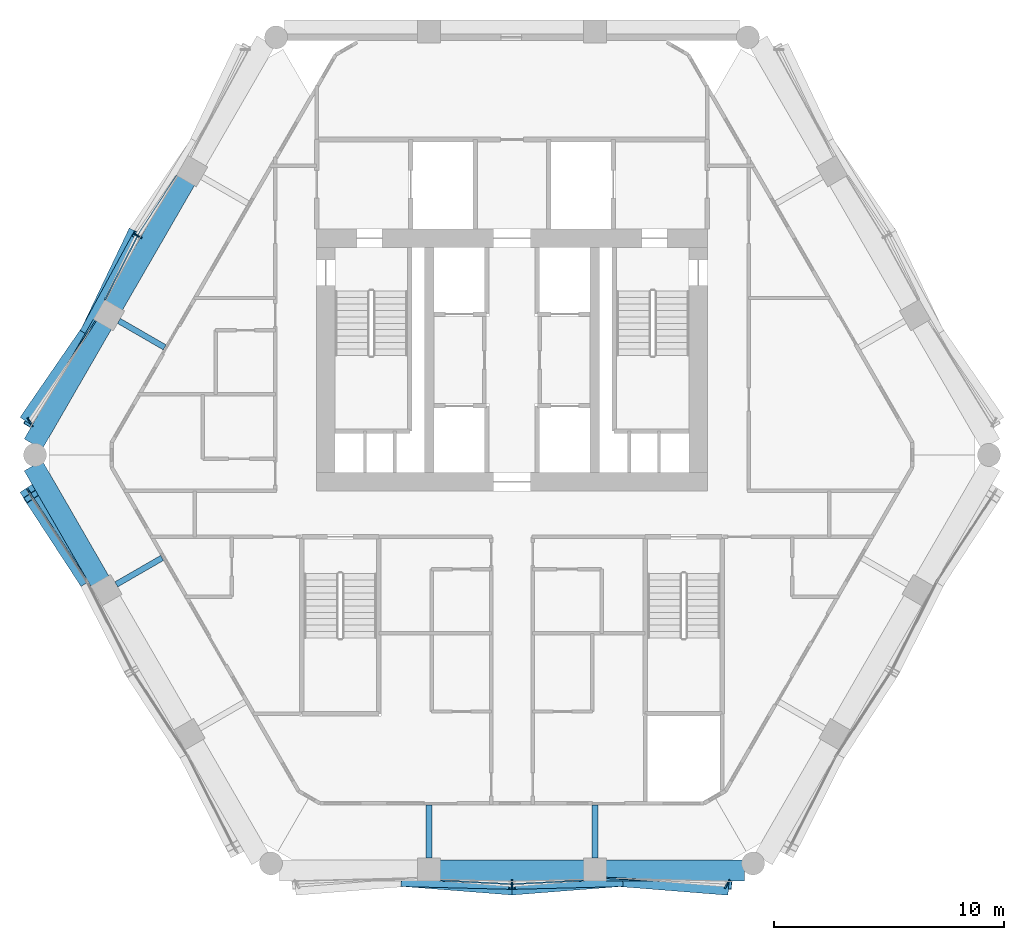
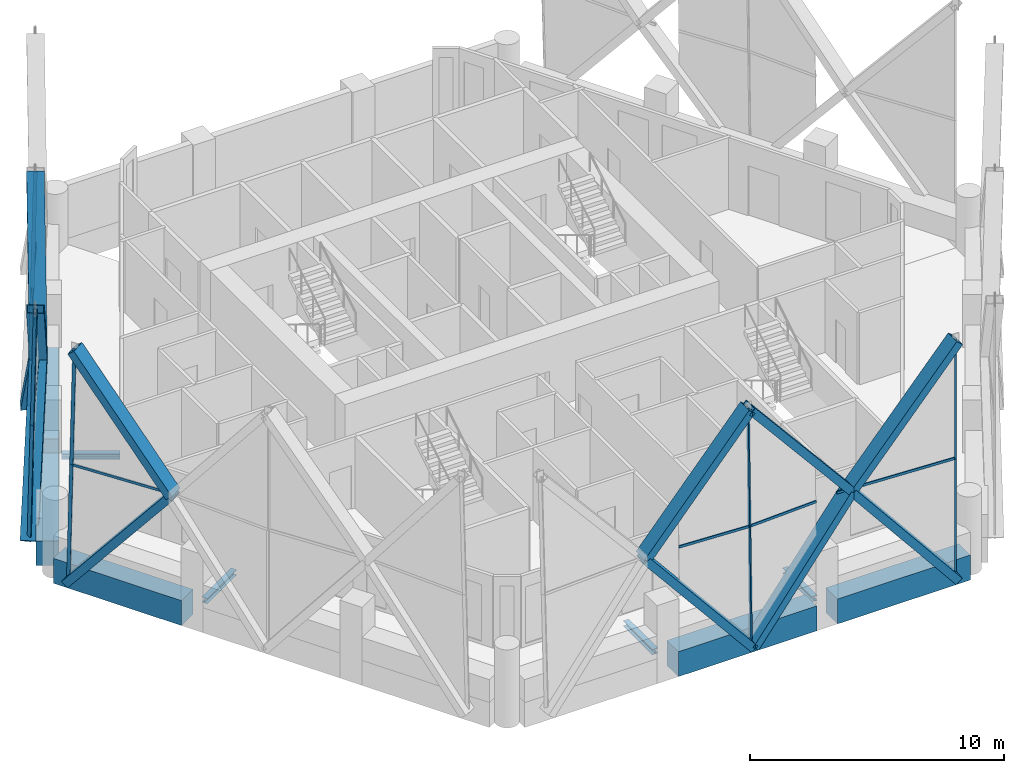
# One storey, part 4 of 19: 29 members, 9 beams, 6 elements without a shape of their own.
"""IFC4 building model written with IfcOpenShell, lengths in metres."""

from ifc_helpers import new_model, si_unit, direction, frame, origin, origin_2d, place, context, subcontext, project, spatial, rectangle, hollow_rectangle, i_section, extrude, material, material_profile, profile_set, type_object, element, aggregate, save


model = new_model("IFC4")

# Units and contexts
model_context = context("Model", 3, precision=1e-05, world=origin(), true_north=direction((0.0, 1.0)))
body_context = subcontext(model_context, "Body", "Model", "MODEL_VIEW")
ifc_project = project(units=[si_unit("LENGTHUNIT", "METRE"), si_unit("AREAUNIT", "SQUARE_METRE"), si_unit("VOLUMEUNIT", "CUBIC_METRE"), si_unit("PLANEANGLEUNIT", "RADIAN"), si_unit("MASSUNIT", "GRAM", prefix="KILO")], contexts=[model_context])

# Site, building, storey
site_placement = place(None, origin())
site = spatial("IfcSite", under=ifc_project, at=site_placement, CompositionType="ELEMENT")
building_placement = place(site_placement, origin())
building = spatial("IfcBuilding", under=site, at=building_placement, Name="Ostrander Bayou Hotel Tower", CompositionType="ELEMENT")
storey_placement = place(building_placement, frame((0.0, 0.0, 164.5)))
storey = spatial("IfcBuildingStorey", under=building, at=storey_placement, Name="L40", CompositionType="ELEMENT", Elevation=164.5)

# Curtain wall, members
ifc_material_1 = material(Name="Aluminium and clear glass", Category="aluminium")
curtain_wall_type = type_object("IfcCurtainWallType", Name="CW-LAT lattice glazing", PredefinedType="NOTDEFINED", material=ifc_material_1)
curtain_wall_1_placement = place(storey_placement, origin())
curtain_wall_1 = element("IfcCurtainWall", 1, at=curtain_wall_1_placement, inside=storey, type_object=curtain_wall_type, Name="CW-LAT L40 NW 1", PredefinedType="NOTDEFINED")
ifc_material_2 = material(Name="Aluminium", Category="aluminium")
ifc_material_profile_1 = material_profile(ifc_material_2, hollow_rectangle(XDim=0.06005859375, YDim=0.159912109375, WallThickness=0.00390625, at=origin_2d()))
ifc_profile_set_1 = profile_set([ifc_material_profile_1], Name="Aluminium")
member_type_1 = type_object("IfcMemberType", Name="CW-LA mullion 60 x 160 mm", PredefinedType="MULLION", material=ifc_profile_set_1)
member_1_placement = place(storey_placement, frame((-16.401611328125, 9.469482421875, -0.60009765625), z_axis=(0.018875724526, -0.010891510014, 0.999762512817), x_axis=(0.499779910804, 0.866152435058, 0.0)))
member_1 = element("IfcMember", 2, at=member_1_placement, type_object=member_type_1, Name="CW-LAT mullion 4", PredefinedType="MULLION", context=body_context, shape_type="SweptSolid", body=[
    extrude(hollow_rectangle(XDim=0.06005859375, YDim=0.159912109375, WallThickness=0.00390625, at=origin_2d()), origin(), (0.0, 0.0, 1.0), 5.626220703125),
])
member_2_placement = place(storey_placement, frame((-16.29541015625, 9.408203125, 5.02490234375), z_axis=(0.018875715587, -0.010934897306, 0.999762039378), x_axis=(0.501271486133, 0.865290065348, 0.0)))
member_2 = element("IfcMember", 3, at=member_2_placement, type_object=member_type_1, Name="CW-LAT mullion 5", PredefinedType="MULLION", context=body_context, shape_type="SweptSolid", body=[
    extrude(hollow_rectangle(XDim=0.06005859375, YDim=0.159912109375, WallThickness=0.00390625, at=origin_2d()), origin(), (0.0, 0.0, 1.0), 5.626220703125),
])
member_3_placement = place(storey_placement, frame((-21.048828125, 1.420654296875, -0.60009765625), z_axis=(0.012626192954, -0.021824656549, 0.999682081273), x_axis=(0.865583332221, 0.500764909893, 0.0)))
member_3 = element("IfcMember", 4, at=member_3_placement, type_object=member_type_1, Name="CW-LAT mullion 8", PredefinedType="MULLION", context=body_context, shape_type="SweptSolid", body=[
    extrude(hollow_rectangle(XDim=0.06005859375, YDim=0.159912109375, WallThickness=0.00390625, at=origin_2d()), origin(), (0.0, 0.0, 1.0), 5.626708984375),
])
member_4_placement = place(storey_placement, frame((-20.977783203125, 1.2978515625, 5.02490234375), z_axis=(0.012582810856, -0.021824668484, 0.999682627996), x_axis=(0.866328918095, 0.499473928922, 0.0)))
member_4 = element("IfcMember", 5, at=member_4_placement, type_object=member_type_1, Name="CW-LAT mullion 9", PredefinedType="MULLION", context=body_context, shape_type="SweptSolid", body=[
    extrude(hollow_rectangle(XDim=0.06005859375, YDim=0.159912109375, WallThickness=0.00390625, at=origin_2d()), origin(), (0.0, 0.0, 1.0), 5.626708984375),
])
aggregate(curtain_wall_1, [member_1, member_2, member_3, member_4])

curtain_wall_2_placement = place(storey_placement, origin())
curtain_wall_2 = element("IfcCurtainWall", 6, at=curtain_wall_2_placement, inside=storey, type_object=curtain_wall_type, Name="CW-LAT L40 SW 1", PredefinedType="NOTDEFINED")
member_5_placement = place(storey_placement, frame((-21.048828125, -1.682373046875, -0.60009765625), z_axis=(0.012626192954, -0.021824656549, 0.999682081273), x_axis=(0.865583332221, 0.500764909893, 0.0)))
member_5 = element("IfcMember", 7, at=member_5_placement, type_object=member_type_1, Name="CW-LAT mullion 1", PredefinedType="MULLION", context=body_context, shape_type="SweptSolid", body=[
    extrude(hollow_rectangle(XDim=0.06005859375, YDim=0.159912109375, WallThickness=0.00390625, at=origin_2d()), origin(), (0.0, 0.0, 1.0), 5.626708984375),
])
member_6_placement = place(storey_placement, frame((-20.977783203125, -1.80517578125, 5.02490234375), z_axis=(0.012582810856, -0.021824668484, 0.999682627996), x_axis=(0.866328918095, 0.499473928922, 0.0)))
member_6 = element("IfcMember", 8, at=member_6_placement, type_object=member_type_1, Name="CW-LAT mullion 2", PredefinedType="MULLION", context=body_context, shape_type="SweptSolid", body=[
    extrude(hollow_rectangle(XDim=0.06005859375, YDim=0.159912109375, WallThickness=0.00390625, at=origin_2d()), origin(), (0.0, 0.0, 1.0), 5.626708984375),
])
aggregate(curtain_wall_2, [member_5, member_6])

curtain_wall_3_placement = place(storey_placement, origin())
curtain_wall_3 = element("IfcCurtainWall", 9, at=curtain_wall_3_placement, inside=storey, type_object=curtain_wall_type, Name="CW-LAT L40 S 1", PredefinedType="NOTDEFINED")
member_7_placement = place(storey_placement, frame((0.0, -18.939208984375, -0.60009765625), z_axis=(0.0, 0.021826396408, 0.999761775835), x_axis=(-1.0, 0.0, 0.0)))
member_7 = element("IfcMember", 10, at=member_7_placement, type_object=member_type_1, Name="CW-LAT mullion 4", PredefinedType="MULLION", context=body_context, shape_type="SweptSolid", body=[
    extrude(hollow_rectangle(XDim=0.06005859375, YDim=0.159912109375, WallThickness=0.00390625, at=origin_2d()), origin(), (0.0, 0.0, 1.0), 5.626220703125),
])
member_8_placement = place(storey_placement, frame((0.0, -18.81640625, 5.02490234375), z_axis=(0.0, 0.021826396408, 0.999761775835), x_axis=(-1.0, 0.0, 0.0)))
member_8 = element("IfcMember", 11, at=member_8_placement, type_object=member_type_1, Name="CW-LAT mullion 5", PredefinedType="MULLION", context=body_context, shape_type="SweptSolid", body=[
    extrude(hollow_rectangle(XDim=0.06005859375, YDim=0.159912109375, WallThickness=0.00390625, at=origin_2d()), origin(), (0.0, 0.0, 1.0), 5.626220703125),
])
member_9_placement = place(storey_placement, frame((9.294189453125, -18.939208984375, -0.60009765625), z_axis=(0.012582810856, 0.021824668484, 0.999682627996), x_axis=(-0.866328918095, 0.499473928922, 0.0)))
member_9 = element("IfcMember", 12, at=member_9_placement, type_object=member_type_1, Name="CW-LAT mullion 8", PredefinedType="MULLION", context=body_context, shape_type="SweptSolid", body=[
    extrude(hollow_rectangle(XDim=0.06005859375, YDim=0.159912109375, WallThickness=0.00390625, at=origin_2d()), origin(), (0.0, 0.0, 1.0), 5.626708984375),
])
member_10_placement = place(storey_placement, frame((9.364990234375, -18.81640625, 5.02490234375), z_axis=(0.012582810856, 0.021824668484, 0.999682627996), x_axis=(-0.866328918095, 0.499473928922, 0.0)))
member_10 = element("IfcMember", 13, at=member_10_placement, type_object=member_type_1, Name="CW-LAT mullion 9", PredefinedType="MULLION", context=body_context, shape_type="SweptSolid", body=[
    extrude(hollow_rectangle(XDim=0.06005859375, YDim=0.159912109375, WallThickness=0.00390625, at=origin_2d()), origin(), (0.0, 0.0, 1.0), 5.626708984375),
])
aggregate(curtain_wall_3, [member_7, member_8, member_9, member_10])

curtain_wall_4_placement = place(storey_placement, origin())
curtain_wall_4 = element("IfcCurtainWall", 14, at=curtain_wall_4_placement, inside=storey, type_object=curtain_wall_type, Name="CW-LAT L40 NW 2", PredefinedType="NOTDEFINED")
ifc_material_3 = material(Name="Aluminium", Category="aluminium")
ifc_material_profile_2 = material_profile(ifc_material_3, hollow_rectangle(XDim=0.06005859375, YDim=0.1201171875, WallThickness=0.00390625, at=origin_2d()))
ifc_profile_set_2 = profile_set([ifc_material_profile_2], Name="Aluminium")
member_type_2 = type_object("IfcMemberType", Name="CW-LA transom 60 x 120 mm", PredefinedType="USERDEFINED", material=ifc_profile_set_2)
member_11_placement = place(storey_placement, frame((-16.29541015625, 9.408203125, 5.02490234375), z_axis=(0.544317538118, 0.838879262884, 0.0), x_axis=(-0.838879262884, 0.544317538118, 0.0)))
member_11 = element("IfcMember", 15, at=member_11_placement, type_object=member_type_2, Name="CW-LAT transom 6", ObjectType="TRANSOM", PredefinedType="USERDEFINED", context=body_context, shape_type="SweptSolid", body=[
    extrude(hollow_rectangle(XDim=0.06005859375, YDim=0.1201171875, WallThickness=0.00390625, at=origin_2d()), origin(), (0.0, 0.0, 1.0), 3.1220703125),
])
member_12_placement = place(storey_placement, frame((-16.29541015625, 9.408203125, 5.02490234375), z_axis=(-0.454361451248, -0.890817417668, 0.0), x_axis=(0.890817417668, -0.454361451248, 0.0)))
member_12 = element("IfcMember", 16, at=member_12_placement, type_object=member_type_2, Name="CW-LAT transom 7", ObjectType="TRANSOM", PredefinedType="USERDEFINED", context=body_context, shape_type="SweptSolid", body=[
    extrude(hollow_rectangle(XDim=0.06005859375, YDim=0.1201171875, WallThickness=0.00390625, at=origin_2d()), origin(), (0.0, 0.0, 1.0), 3.122314453125),
])
member_13_placement = place(storey_placement, frame((-20.977783203125, 1.2978515625, 5.02490234375), z_axis=(0.544287455299, 0.83889878174, 0.0), x_axis=(-0.83889878174, 0.544287455299, 0.0)))
member_13 = element("IfcMember", 17, at=member_13_placement, type_object=member_type_2, Name="CW-LAT transom 10", ObjectType="TRANSOM", PredefinedType="USERDEFINED", context=body_context, shape_type="SweptSolid", body=[
    extrude(hollow_rectangle(XDim=0.06005859375, YDim=0.1201171875, WallThickness=0.00390625, at=origin_2d()), origin(), (0.0, 0.0, 1.0), 5.25390625),
])
aggregate(curtain_wall_4, [member_11, member_12, member_13])

# Curtain wall, member
curtain_wall_5_placement = place(storey_placement, origin())
curtain_wall_5 = element("IfcCurtainWall", 18, at=curtain_wall_5_placement, inside=storey, type_object=curtain_wall_type, Name="CW-LAT L40 SW 2", PredefinedType="NOTDEFINED")
member_14_placement = place(storey_placement, frame((-20.977783203125, -1.80517578125, 5.02490234375), z_axis=(0.545310902282, -0.838233869426, 0.0), x_axis=(0.838233869426, 0.545310902282, 0.0)))
member_14 = element("IfcMember", 19, at=member_14_placement, type_object=member_type_2, Name="CW-LAT transom 3", ObjectType="TRANSOM", PredefinedType="USERDEFINED", context=body_context, shape_type="SweptSolid", body=[
    extrude(hollow_rectangle(XDim=0.06005859375, YDim=0.1201171875, WallThickness=0.00390625, at=origin_2d()), origin(), (0.0, 0.0, 1.0), 4.468994140625),
])
aggregate(curtain_wall_5, [member_14])

# Curtain wall, members
curtain_wall_6_placement = place(storey_placement, origin())
curtain_wall_6 = element("IfcCurtainWall", 20, at=curtain_wall_6_placement, inside=storey, type_object=curtain_wall_type, Name="CW-LAT L40 S 2", PredefinedType="NOTDEFINED")
member_15_placement = place(storey_placement, frame((0.0, -18.81640625, 5.02490234375), z_axis=(-0.998651319542, 0.051918609159, 0.0), x_axis=(-0.051918609159, -0.998651319542, 0.0)))
member_15 = element("IfcMember", 21, at=member_15_placement, type_object=member_type_2, Name="CW-LAT transom 6", ObjectType="TRANSOM", PredefinedType="USERDEFINED", context=body_context, shape_type="SweptSolid", body=[
    extrude(hollow_rectangle(XDim=0.06005859375, YDim=0.1201171875, WallThickness=0.00390625, at=origin_2d()), origin(), (0.0, 0.0, 1.0), 3.122314453125),
])
member_16_placement = place(storey_placement, frame((0.0, -18.81640625, 5.02490234375), z_axis=(0.998651319542, 0.051918609159, 0.0), x_axis=(-0.051918609159, 0.998651319542, 0.0)))
member_16 = element("IfcMember", 22, at=member_16_placement, type_object=member_type_2, Name="CW-LAT transom 7", ObjectType="TRANSOM", PredefinedType="USERDEFINED", context=body_context, shape_type="SweptSolid", body=[
    extrude(hollow_rectangle(XDim=0.06005859375, YDim=0.1201171875, WallThickness=0.00390625, at=origin_2d()), origin(), (0.0, 0.0, 1.0), 3.122314453125),
])
member_17_placement = place(storey_placement, frame((9.364990234375, -18.81640625, 5.02490234375), z_axis=(-0.998649607654, 0.051951526749, 0.0), x_axis=(-0.051951526749, -0.998649607654, 0.0)))
member_17 = element("IfcMember", 23, at=member_17_placement, type_object=member_type_2, Name="CW-LAT transom 10", ObjectType="TRANSOM", PredefinedType="USERDEFINED", context=body_context, shape_type="SweptSolid", body=[
    extrude(hollow_rectangle(XDim=0.06005859375, YDim=0.1201171875, WallThickness=0.00390625, at=origin_2d()), origin(), (0.0, 0.0, 1.0), 5.25390625),
])
aggregate(curtain_wall_6, [member_15, member_16, member_17])

# Beams
ifc_material_4 = material(Name="Steel ASTM A992", Category="steel")
ifc_material_profile_3 = material_profile(ifc_material_4, i_section(OverallWidth=0.25390625, OverallDepth=0.25341796875, WebThickness=0.008544921875, FlangeThickness=0.01416015625, at=origin_2d()))
ifc_profile_set_3 = profile_set([ifc_material_profile_3], Name="Steel ASTM A992")
beam_type_1 = type_object("IfcBeamType", Name="LB2 loggia bracket W10x49", PredefinedType="BEAM", material=ifc_profile_set_3)
for number, where, z_axis, x_axis, name in (
    (24, (-17.11083984375, 5.701171875, -0.4267578125), (0.866053019151, -0.499952165731, 0.0), (0.499952165731, 0.866053019151, 0.0), "LB2 L40 NW2"),
    (25, (-17.224365234375, -5.7666015625, -0.4267578125), (0.866053019151, 0.499952165731, 0.0), (-0.499952165731, 0.866053019151, 0.0), "LB2 L40 SW1"),
    (26, (-3.6181640625, -17.669189453125, -0.4267578125), (0.0, 1.0, 0.0), (-1.0, 0.0, 0.0), "LB2 L40 S1"),
    (27, (3.6181640625, -17.669189453125, -0.4267578125), (0.0, 1.0, 0.0), (-1.0, 0.0, 0.0), "LB2 L40 S2"),
):
    element("IfcBeam", number, at=place(storey_placement, frame(where, z_axis=z_axis, x_axis=x_axis)), inside=storey, type_object=beam_type_1, Name=name, PredefinedType="BEAM", context=body_context, shape_type="SweptSolid", body=[
        extrude(i_section(OverallWidth=0.25390625, OverallDepth=0.25341796875, WebThickness=0.008544921875, FlangeThickness=0.01416015625, at=origin_2d()), origin(), (0.0, 0.0, 1.0), 2.300048828125),
    ])

# Members
ifc_material_5 = material(Name="Steel ASTM A572 Gr 50", Category="steel")
ifc_material_profile_4 = material_profile(ifc_material_5, hollow_rectangle(XDim=0.699951171875, YDim=0.35009765625, WallThickness=0.02490234375, at=origin_2d()))
ifc_profile_set_4 = profile_set([ifc_material_profile_4], Name="Steel ASTM A572 Gr 50")
member_type_3 = type_object("IfcMemberType", Name="LT1 lattice member box 700 x 350 x 25 mm", PredefinedType="BRACE", material=ifc_profile_set_4)
member_18_placement = place(storey_placement, frame((-18.42578125, 5.231201171875, 5.02490234375), z_axis=(0.276220633507, 0.578360897078, -0.767594185984), x_axis=(-0.902368956601, 0.430964344423, 0.0)))
element("IfcMember", 28, at=member_18_placement, inside=storey, type_object=member_type_3, Name="LT1 L40 NW 5", PredefinedType="BRACE", context=body_context, shape_type="SweptSolid", body=[
    extrude(hollow_rectangle(XDim=0.699951171875, YDim=0.35009765625, WallThickness=0.02490234375, at=origin_2d()), origin(), (0.0, 0.0, 1.0), 7.328125),
])
member_19_placement = place(storey_placement, frame((-18.42578125, 5.231201171875, 5.02490234375), z_axis=(0.305549377015, 0.562236202198, 0.768459518221), x_axis=(-0.878633542001, 0.477496700378, 0.0)))
element("IfcMember", 29, at=member_19_placement, inside=storey, type_object=member_type_3, Name="LT1 L40 NW 6", PredefinedType="BRACE", context=body_context, shape_type="SweptSolid", body=[
    extrude(hollow_rectangle(XDim=0.699951171875, YDim=0.35009765625, WallThickness=0.02490234375, at=origin_2d()), origin(), (0.0, 0.0, 1.0), 7.31982421875),
])
member_20_placement = place(storey_placement, frame((-18.42578125, 5.231201171875, 5.02490234375), z_axis=(-0.360163008419, -0.523215211783, -0.772352542253), x_axis=(0.823709174916, -0.567012517638, 0.0)))
element("IfcMember", 30, at=member_20_placement, inside=storey, type_object=member_type_3, Name="LT1 L40 NW 7", PredefinedType="BRACE", context=body_context, shape_type="SweptSolid", body=[
    extrude(hollow_rectangle(XDim=0.699951171875, YDim=0.35009765625, WallThickness=0.02490234375, at=origin_2d()), origin(), (0.0, 0.0, 1.0), 7.282958984375),
])
member_21_placement = place(storey_placement, frame((-18.42578125, 5.231201171875, 5.02490234375), z_axis=(-0.336871820659, -0.550702393823, 0.763704294792), x_axis=(0.853053293355, -0.521823800431, 0.0)))
element("IfcMember", 31, at=member_21_placement, inside=storey, type_object=member_type_3, Name="LT1 L40 NW 8", PredefinedType="BRACE", context=body_context, shape_type="SweptSolid", body=[
    extrude(hollow_rectangle(XDim=0.699951171875, YDim=0.35009765625, WallThickness=0.02490234375, at=origin_2d()), origin(), (0.0, 0.0, 1.0), 7.365478515625),
])
member_22_placement = place(storey_placement, frame((-18.540771484375, -5.55126953125, 5.02490234375), z_axis=(-0.344835716412, 0.531939219116, -0.77338799826), x_axis=(-0.839109572246, -0.543962430472, 0.0)))
element("IfcMember", 32, at=member_22_placement, inside=storey, type_object=member_type_3, Name="LT1 L40 SW 1", PredefinedType="BRACE", context=body_context, shape_type="SweptSolid", body=[
    extrude(hollow_rectangle(XDim=0.699951171875, YDim=0.35009765625, WallThickness=0.02490234375, at=origin_2d()), origin(), (0.0, 0.0, 1.0), 7.273193359375),
])
member_23_placement = place(storey_placement, frame((-18.540771484375, -5.55126953125, 5.02490234375), z_axis=(-0.333408673271, 0.510536330995, 0.79258520761), x_axis=(-0.837272612957, -0.546785672446, 0.0)))
element("IfcMember", 33, at=member_23_placement, inside=storey, type_object=member_type_3, Name="LT1 L40 SW 2", PredefinedType="BRACE", context=body_context, shape_type="SweptSolid", body=[
    extrude(hollow_rectangle(XDim=0.699951171875, YDim=0.35009765625, WallThickness=0.02490234375, at=origin_2d()), origin(), (0.0, 0.0, 1.0), 7.096923828125),
])
member_24_placement = place(storey_placement, frame((-4.6826171875, -18.57275390625, 5.02490234375), z_axis=(0.638990145432, -0.050006475928, -0.767587745086), x_axis=(0.078020054039, 0.996951789791, 0.0)))
element("IfcMember", 34, at=member_24_placement, inside=storey, type_object=member_type_3, Name="LT1 L40 S 3", PredefinedType="BRACE", context=body_context, shape_type="SweptSolid", body=[
    extrude(hollow_rectangle(XDim=0.699951171875, YDim=0.35009765625, WallThickness=0.02490234375, at=origin_2d()), origin(), (0.0, 0.0, 1.0), 7.328125),
])
member_25_placement = place(storey_placement, frame((-4.6826171875, -18.57275390625, 5.02490234375), z_axis=(0.639703393282, -0.016509550557, 0.768444534995), x_axis=(0.025799542884, 0.999667136394, 0.0)))
element("IfcMember", 35, at=member_25_placement, inside=storey, type_object=member_type_3, Name="LT1 L40 S 4", PredefinedType="BRACE", context=body_context, shape_type="SweptSolid", body=[
    extrude(hollow_rectangle(XDim=0.699951171875, YDim=0.35009765625, WallThickness=0.02490234375, at=origin_2d()), origin(), (0.0, 0.0, 1.0), 7.320068359375),
])
member_26_placement = place(storey_placement, frame((4.6826171875, -18.57275390625, 5.02490234375), z_axis=(-0.638990145432, -0.050006475928, -0.767587745086), x_axis=(0.078020054039, -0.996951789791, 0.0)))
element("IfcMember", 36, at=member_26_placement, inside=storey, type_object=member_type_3, Name="LT1 L40 S 5", PredefinedType="BRACE", context=body_context, shape_type="SweptSolid", body=[
    extrude(hollow_rectangle(XDim=0.699951171875, YDim=0.35009765625, WallThickness=0.02490234375, at=origin_2d()), origin(), (0.0, 0.0, 1.0), 7.328125),
])
member_27_placement = place(storey_placement, frame((4.6826171875, -18.57275390625, 5.02490234375), z_axis=(-0.639703393282, -0.016509550557, 0.768444534995), x_axis=(0.025799542884, -0.999667136394, 0.0)))
element("IfcMember", 37, at=member_27_placement, inside=storey, type_object=member_type_3, Name="LT1 L40 S 6", PredefinedType="BRACE", context=body_context, shape_type="SweptSolid", body=[
    extrude(hollow_rectangle(XDim=0.699951171875, YDim=0.35009765625, WallThickness=0.02490234375, at=origin_2d()), origin(), (0.0, 0.0, 1.0), 7.320068359375),
])
member_28_placement = place(storey_placement, frame((4.6826171875, -18.57275390625, 5.02490234375), z_axis=(0.633200233605, -0.050316774347, -0.772350753468), x_axis=(0.079214529371, 0.996857591804, 0.0)))
element("IfcMember", 38, at=member_28_placement, inside=storey, type_object=member_type_3, Name="LT1 L40 S 7", PredefinedType="BRACE", context=body_context, shape_type="SweptSolid", body=[
    extrude(hollow_rectangle(XDim=0.699951171875, YDim=0.35009765625, WallThickness=0.02490234375, at=origin_2d()), origin(), (0.0, 0.0, 1.0), 7.282958984375),
])
member_29_placement = place(storey_placement, frame((4.6826171875, -18.57275390625, 5.02490234375), z_axis=(0.645345472424, -0.016407931011, 0.76371460705), x_axis=(0.02541682087, 0.999676940425, 0.0)))
element("IfcMember", 39, at=member_29_placement, inside=storey, type_object=member_type_3, Name="LT1 L40 S 8", PredefinedType="BRACE", context=body_context, shape_type="SweptSolid", body=[
    extrude(hollow_rectangle(XDim=0.699951171875, YDim=0.35009765625, WallThickness=0.02490234375, at=origin_2d()), origin(), (0.0, 0.0, 1.0), 7.365234375),
])

# Beams
ifc_material_6 = material(Name="Concrete f'c 60 MPa", Category="concrete")
ifc_material_profile_5 = material_profile(ifc_material_6, rectangle(XDim=0.89990234375, YDim=1.199951171875, at=origin_2d()))
ifc_profile_set_5 = profile_set([ifc_material_profile_5], Name="Concrete f'c 60 MPa")
beam_type_2 = type_object("IfcBeamType", Name="SP3 spandrel beam 900 x 1200 mm f'c 60 MPa", PredefinedType="SPANDREL", material=ifc_profile_set_5)
beam_1_placement = place(storey_placement, frame((-14.2041015625, 11.835693359375, -0.60009765625), z_axis=(-0.500030142214, -0.86600800047, 0.0), x_axis=(0.86600800047, -0.500030142214, 0.0)))
element("IfcBeam", 40, at=beam_1_placement, inside=storey, type_object=beam_type_2, Name="SP3 L40 NW-2", PredefinedType="SPANDREL", context=body_context, shape_type="SweptSolid", body=[
    extrude(rectangle(XDim=0.89990234375, YDim=1.199951171875, at=origin_2d()), origin(), (0.0, 0.0, 1.0), 6.2958984375),
])
beam_2_placement = place(storey_placement, frame((-17.822265625, 5.569091796875, -0.60009765625), z_axis=(-0.500012890865, -0.866017961112, 0.0), x_axis=(0.866017961112, -0.500012890865, 0.0)))
element("IfcBeam", 41, at=beam_2_placement, inside=storey, type_object=beam_type_2, Name="SP3 L40 NW-3", PredefinedType="SPANDREL", context=body_context, shape_type="SweptSolid", body=[
    extrude(rectangle(XDim=0.89990234375, YDim=1.199951171875, at=origin_2d()), origin(), (0.0, 0.0, 1.0), 6.039306640625),
])
beam_3_placement = place(storey_placement, frame((-20.842041015625, -0.6005859375, -0.60009765625), z_axis=(0.500019366424, -0.866014222285, 0.0), x_axis=(0.866014222285, 0.500019366424, 0.0)))
element("IfcBeam", 42, at=beam_3_placement, inside=storey, type_object=beam_type_2, Name="SP3 L40 SW-1", PredefinedType="SPANDREL", context=body_context, shape_type="SweptSolid", body=[
    extrude(rectangle(XDim=0.89990234375, YDim=1.199951171875, at=origin_2d()), origin(), (0.0, 0.0, 1.0), 5.812744140625),
])
beam_4_placement = place(storey_placement, frame((-3.148193359375, -18.218994140625, -0.60009765625), z_axis=(1.0, 0.0, 0.0), x_axis=(0.0, 1.0, 0.0)))
element("IfcBeam", 43, at=beam_4_placement, inside=storey, type_object=beam_type_2, Name="SP3 L40 S-2", PredefinedType="SPANDREL", context=body_context, shape_type="SweptSolid", body=[
    extrude(rectangle(XDim=0.89990234375, YDim=1.199951171875, at=origin_2d()), origin(), (0.0, 0.0, 1.0), 6.29638671875),
])
beam_5_placement = place(storey_placement, frame((4.088134765625, -18.218994140625, -0.60009765625), z_axis=(1.0, 0.0, 0.0), x_axis=(0.0, 1.0, 0.0)))
element("IfcBeam", 44, at=beam_5_placement, inside=storey, type_object=beam_type_2, Name="SP3 L40 S-3", PredefinedType="SPANDREL", context=body_context, shape_type="SweptSolid", body=[
    extrude(rectangle(XDim=0.89990234375, YDim=1.199951171875, at=origin_2d()), origin(), (0.0, 0.0, 1.0), 6.03955078125),
])

save(model, "model.ifc")
